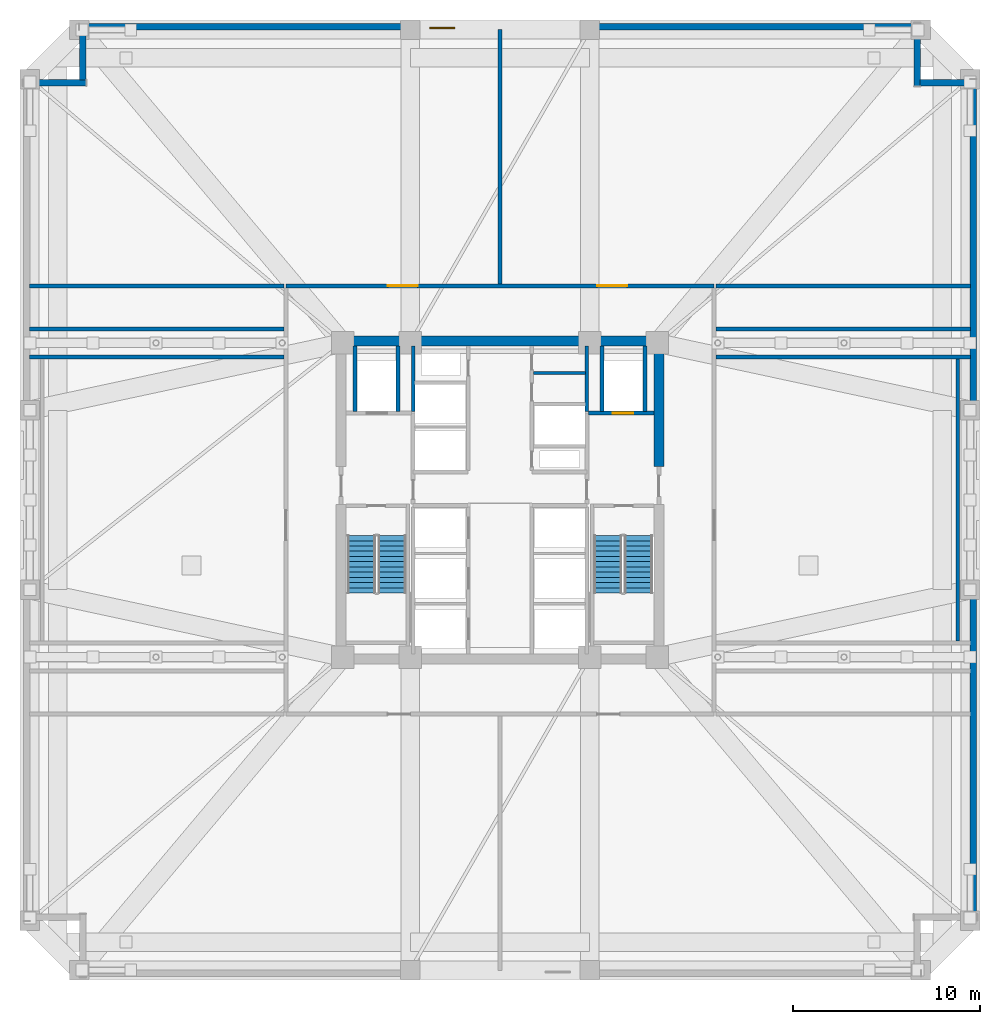
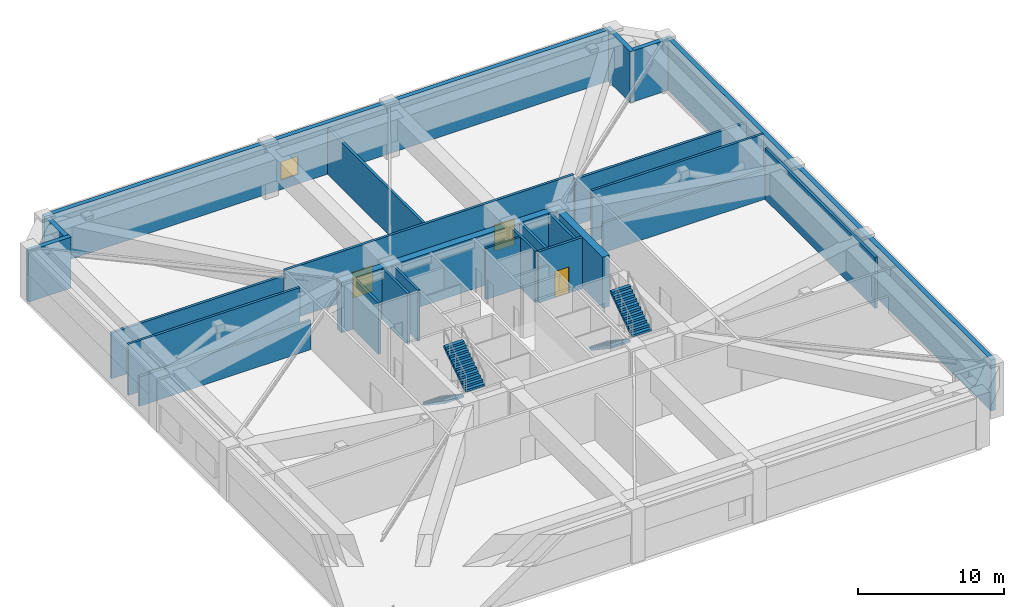
# One storey, part 8 of 13: 25 walls, 4 stair flights, 3 doors, 1 window, 4 openings, 2 elements without a shape of their own.
"""IFC4 building model written with IfcOpenShell, lengths in metres."""

from ifc_helpers import new_model, si_unit, direction, frame, frame_2d, origin, place, context, subcontext, project, spatial, polyline, rectangle, outline, extrude, material, layer, layer_set, type_object, element, fill, aggregate, save


model = new_model("IFC4")

# Units and contexts
model_context = context("Model", 3, precision=1e-05, world=origin(), true_north=direction((0.0, 1.0)))
body_context = subcontext(model_context, "Body", "Model", "MODEL_VIEW")
ifc_project = project(units=[si_unit("LENGTHUNIT", "METRE"), si_unit("AREAUNIT", "SQUARE_METRE"), si_unit("VOLUMEUNIT", "CUBIC_METRE"), si_unit("PLANEANGLEUNIT", "RADIAN"), si_unit("MASSUNIT", "GRAM", prefix="KILO")], contexts=[model_context])

# Site, building, storey
site_placement = place(None, origin())
site = spatial("IfcSite", under=ifc_project, at=site_placement, CompositionType="ELEMENT")
building_placement = place(site_placement, origin())
building = spatial("IfcBuilding", under=site, at=building_placement, Name="Cairnveth Concourse Tower", CompositionType="ELEMENT")
storey_placement = place(building_placement, frame((0.0, 0.0, 97.0)))
storey = spatial("IfcBuildingStorey", under=building, at=storey_placement, Name="L26", CompositionType="ELEMENT", Elevation=97.0)

# Walls
ifc_material_1 = material(Name="Gypsum Plasterboard Partition", Category="gypsum")
ifc_layer_1 = layer(ifc_material_1, 0.159912109375)
ifc_layer_set_1 = layer_set([ifc_layer_1], Name="Gypsum Plasterboard Partition")
wall_type_1 = type_object("IfcWallType", Name="ACOUSTIC PARTY WALL 180", PredefinedType="PARTITIONING", material=ifc_layer_set_1)
wall_1_placement = place(storey_placement, frame((53.784912109375, 45.800048828125, 0.0), z_axis=(0.0, 0.0, 1.0), x_axis=(1.0, 0.0, 0.0)))
element("IfcWall", 1, at=wall_1_placement, inside=storey, type_object=wall_type_1, Name="Interior Wall IW-L26-037", PredefinedType="PARTITIONING", context=body_context, shape_type="SweptSolid", body=[
    extrude(rectangle(XDim=2.7900390625, YDim=0.159912109375, at=frame_2d((1.39501953125, 0.0))), origin(), (0.0, 0.0, 1.0), 4.280029296875),
])
ifc_material_2 = material(Name="Concrete N80 (80 MPa)", Category="concrete")
ifc_layer_2 = layer(ifc_material_2, 0.550048828125)
ifc_layer_set_2 = layer_set([ifc_layer_2], Name="Concrete N80 (80 MPa)")
wall_type_2 = type_object("IfcWallType", Name="CORE SHEAR WALL 550", PredefinedType="SHEAR", material=ifc_layer_set_2)
wall_2_placement = place(storey_placement, frame((43.22509765625, 47.5, 0.0), z_axis=(0.0, 0.0, 1.0), x_axis=(1.0, 0.0, 0.0)))
element("IfcWall", 2, at=wall_2_placement, inside=storey, type_object=wall_type_2, Name="Core North Shear Wall L26", PredefinedType="SHEAR", context=body_context, shape_type="SweptSolid", body=[
    extrude(rectangle(XDim=17.5498046875, YDim=0.550048828125, at=frame_2d((8.77490234375, 0.0))), origin(), (0.0, 0.0, 1.0), 4.280029296875),
])
wall_3_placement = place(storey_placement, frame((60.5, 40.800048828125, 0.0), z_axis=(0.0, 0.0, 1.0), x_axis=(0.0, 1.0, 0.0)))
element("IfcWall", 3, at=wall_3_placement, inside=storey, type_object=wall_type_2, Name="Core East Shear Wall N L26", PredefinedType="SHEAR", context=body_context, shape_type="SweptSolid", body=[
    extrude(rectangle(XDim=6.43505859375, YDim=0.550048828125, at=frame_2d((3.217529296875, 0.0))), origin(), (0.0, 0.0, 1.0), 4.280029296875),
])
ifc_material_3 = material(Name="Concrete N50 (50 MPa)", Category="concrete")
ifc_layer_3 = layer(ifc_material_3, 0.179931640625)
ifc_layer_set_3 = layer_set([ifc_layer_3], Name="Concrete N50 (50 MPa)")
wall_type_3 = type_object("IfcWallType", Name="FIRE SHAFT WALL 180", PredefinedType="SOLIDWALL", material=ifc_layer_set_3)
for number, where, z_axis, x_axis, name in (
    (4, (47.35009765625, 43.735107421875, 0.0), (0.0, 0.0, 1.0), (0.0, 1.0, 0.0), "Interior Wall IW-L26-031"),
    (5, (56.64990234375, 43.735107421875, 0.0), (0.0, 0.0, 1.0), (0.0, 1.0, 0.0), "Interior Wall IW-L26-034"),
):
    element("IfcWall", number, at=place(storey_placement, frame(where, z_axis=z_axis, x_axis=x_axis)), inside=storey, type_object=wall_type_3, Name=name, PredefinedType="SOLIDWALL", context=body_context, shape_type="SweptSolid", body=[
        extrude(rectangle(XDim=3.5048828125, YDim=0.179931640625, at=frame_2d((1.75244140625, 0.0))), origin(), (0.0, 0.0, 1.0), 4.280029296875),
    ])
ifc_layer_4 = layer(ifc_material_3, 0.199951171875)
ifc_layer_set_4 = layer_set([ifc_layer_4], Name="Concrete N50 (50 MPa)")
wall_type_4 = type_object("IfcWallType", Name="FIRE SHAFT WALL 200", PredefinedType="SOLIDWALL", material=ifc_layer_set_4)
for number, where, z_axis, x_axis, name in (
    (6, (46.550048828125, 43.735107421875, 0.0), (0.0, 0.0, 1.0), (0.0, 1.0, 0.0), "Interior Wall IW-L26-018"),
    (7, (44.25, 43.735107421875, 0.0), (0.0, 0.0, 1.0), (0.0, 1.0, 0.0), "Interior Wall IW-L26-019"),
):
    element("IfcWall", number, at=place(storey_placement, frame(where, z_axis=z_axis, x_axis=x_axis)), inside=storey, type_object=wall_type_4, Name=name, PredefinedType="SOLIDWALL", context=body_context, shape_type="SweptSolid", body=[
        extrude(rectangle(XDim=3.5048828125, YDim=0.199951171875, at=frame_2d((1.75244140625, 0.0))), origin(), (0.0, 0.0, 1.0), 4.280029296875),
    ])

# Wall, opening, door
wall_4_placement = place(storey_placement, frame((56.735107421875, 43.64990234375, 0.0), z_axis=(0.0, 0.0, 1.0), x_axis=(1.0, 0.0, 0.0)))
wall_4 = element("IfcWall", 8, at=wall_4_placement, inside=storey, type_object=wall_type_4, Name="Interior Wall IW-L26-022", PredefinedType="SOLIDWALL", context=body_context, shape_type="SweptSolid", body=[
    extrude(rectangle(XDim=3.5048828125, YDim=0.199951171875, at=frame_2d((1.75244140625, 0.0))), origin(), (0.0, 0.0, 1.0), 4.280029296875),
])
opening_1_placement = place(wall_4_placement, frame((1.294921875, 0.0, 0.0)))
opening_1 = element("IfcOpeningElement", 9, at=opening_1_placement, cuts=wall_4, Name="Opening LD-1", PredefinedType="OPENING", context=body_context, shape_type="SweptSolid", body=[
    extrude(rectangle(XDim=1.10009765625, YDim=2.199951171875, at=frame_2d((0.550048828125, 1.10009765625))), frame((0.0, 0.10986328125, 0.0), z_axis=(0.0, -1.0, 0.0), x_axis=(1.0, 0.0, 0.0)), (0.0, 0.0, 1.0), 0.219970703125),
])
ifc_material_4 = material(Name="Architectural Bronze Anodised Aluminium 6063-T6", Category="aluminium")
door_type_1 = type_object("IfcDoorType", Name="LIFT LANDING DOOR 1100X2200", OperationType="SLIDING_TO_LEFT", PredefinedType="DOOR", material=ifc_material_4)
door_1_placement = place(opening_1_placement, origin())
door_1 = element("IfcDoor", 10, at=door_1_placement, inside=storey, type_object=door_type_1, Name="Lift FFL2 Landing Door L26", OperationType="SLIDING_TO_LEFT", OverallHeight=2.199951171875, OverallWidth=1.10009765625, PredefinedType="DOOR", context=body_context, shape_type="SweptSolid", body=[
    extrude(rectangle(XDim=1.10009765625, YDim=2.199951171875, at=frame_2d((0.550048828125, 1.10009765625))), frame((0.0, 0.02490234375, 0.0), z_axis=(0.0, -1.0, 0.0), x_axis=(1.0, 0.0, 0.0)), (0.0, 0.0, 1.0), 0.050048828125),
])
fill(opening_1, door_1)

# Walls
for number, where, z_axis, x_axis, name in (
    (11, (57.449951171875, 43.735107421875, 0.0), (0.0, 0.0, 1.0), (0.0, 1.0, 0.0), "Interior Wall IW-L26-023"),
    (12, (59.75, 43.735107421875, 0.0), (0.0, 0.0, 1.0), (0.0, 1.0, 0.0), "Interior Wall IW-L26-024"),
):
    element("IfcWall", number, at=place(storey_placement, frame(where, z_axis=z_axis, x_axis=x_axis)), inside=storey, type_object=wall_type_4, Name=name, PredefinedType="SOLIDWALL", context=body_context, shape_type="SweptSolid", body=[
        extrude(rectangle(XDim=3.5048828125, YDim=0.199951171875, at=frame_2d((1.75244140625, 0.0))), origin(), (0.0, 0.0, 1.0), 4.280029296875),
    ])

# Wall, openings, doors
wall_5_placement = place(storey_placement, frame((40.550048828125, 50.449951171875, 0.0), z_axis=(0.0, 0.0, 1.0), x_axis=(1.0, 0.0, 0.0)))
wall_5 = element("IfcWall", 13, at=wall_5_placement, inside=storey, type_object=wall_type_4, Name="Interior Wall IW-L26-039", PredefinedType="SOLIDWALL", context=body_context, shape_type="SweptSolid", body=[
    extrude(rectangle(XDim=22.89990234375, YDim=0.199951171875, at=frame_2d((11.449951171875, 0.0))), origin(), (0.0, 0.0, 1.0), 4.280029296875),
])
opening_2_placement = place(wall_5_placement, frame((5.449951171875, 0.0, 0.0)))
opening_2 = element("IfcOpeningElement", 14, at=opening_2_placement, cuts=wall_5, Name="Opening ID02", PredefinedType="OPENING", context=body_context, shape_type="SweptSolid", body=[
    extrude(rectangle(XDim=1.60009765625, YDim=2.199951171875, at=frame_2d((0.800048828125, 1.10009765625))), frame((0.0, 0.10986328125, 0.0), z_axis=(0.0, -1.0, 0.0), x_axis=(1.0, 0.0, 0.0)), (0.0, 0.0, 1.0), 0.219970703125),
])
opening_3_placement = place(wall_5_placement, frame((16.64990234375, 0.0, 0.0)))
opening_3 = element("IfcOpeningElement", 15, at=opening_3_placement, cuts=wall_5, Name="Opening ID02", PredefinedType="OPENING", context=body_context, shape_type="SweptSolid", body=[
    extrude(rectangle(XDim=1.60009765625, YDim=2.199951171875, at=frame_2d((0.800048828125, 1.10009765625))), frame((0.0, 0.10986328125, 0.0), z_axis=(0.0, -1.0, 0.0), x_axis=(1.0, 0.0, 0.0)), (0.0, 0.0, 1.0), 0.219970703125),
])
ifc_material_5 = material(Name="Steel Grade 350", Category="steel")
door_type_2 = type_object("IfcDoorType", Name="PLANT DOUBLE DOOR 1600X2200", OperationType="DOUBLE_DOOR_SINGLE_SWING", PredefinedType="DOOR", material=ifc_material_5)
door_2_placement = place(opening_2_placement, origin())
door_2 = element("IfcDoor", 16, at=door_2_placement, inside=storey, type_object=door_type_2, Name="Interior Door DR-L26-016", OperationType="DOUBLE_DOOR_SINGLE_SWING", OverallHeight=2.199951171875, OverallWidth=1.60009765625, PredefinedType="DOOR", context=body_context, shape_type="SweptSolid", body=[
    extrude(rectangle(XDim=1.60009765625, YDim=2.199951171875, at=frame_2d((0.800048828125, 1.10009765625))), frame((0.0, 0.02490234375, 0.0), z_axis=(0.0, -1.0, 0.0), x_axis=(1.0, 0.0, 0.0)), (0.0, 0.0, 1.0), 0.050048828125),
])
fill(opening_2, door_2)
door_3_placement = place(opening_3_placement, origin())
door_3 = element("IfcDoor", 17, at=door_3_placement, inside=storey, type_object=door_type_2, Name="Interior Door DR-L26-017", OperationType="DOUBLE_DOOR_SINGLE_SWING", OverallHeight=2.199951171875, OverallWidth=1.60009765625, PredefinedType="DOOR", context=body_context, shape_type="SweptSolid", body=[
    extrude(rectangle(XDim=1.60009765625, YDim=2.199951171875, at=frame_2d((0.800048828125, 1.10009765625))), frame((0.0, 0.02490234375, 0.0), z_axis=(0.0, -1.0, 0.0), x_axis=(1.0, 0.0, 0.0)), (0.0, 0.0, 1.0), 0.050048828125),
])
fill(opening_3, door_3)

# Walls
for number, where, z_axis, x_axis, name in (
    (18, (26.844970703125, 46.64990234375, 0.0), (0.0, 0.0, 1.0), (1.0, 0.0, 0.0), "Interior Wall IW-L26-046"),
    (19, (63.550048828125, 46.64990234375, 0.0), (0.0, 0.0, 1.0), (1.0, 0.0, 0.0), "Interior Wall IW-L26-047"),
):
    element("IfcWall", number, at=place(storey_placement, frame(where, z_axis=z_axis, x_axis=x_axis)), inside=storey, type_object=wall_type_4, Name=name, PredefinedType="SOLIDWALL", context=body_context, shape_type="SweptSolid", body=[
        extrude(rectangle(XDim=13.60498046875, YDim=0.199951171875, at=frame_2d((6.802490234375, 0.0))), origin(), (0.0, 0.0, 1.0), 2.455078125),
    ])
for number, where, z_axis, x_axis, name in (
    (20, (26.844970703125, 48.14990234375, 0.0), (0.0, 0.0, 1.0), (1.0, 0.0, 0.0), "Interior Wall IW-L26-048"),
    (21, (63.550048828125, 48.14990234375, 0.0), (0.0, 0.0, 1.0), (1.0, 0.0, 0.0), "Interior Wall IW-L26-049"),
):
    element("IfcWall", number, at=place(storey_placement, frame(where, z_axis=z_axis, x_axis=x_axis)), inside=storey, type_object=wall_type_4, Name=name, PredefinedType="SOLIDWALL", context=body_context, shape_type="SweptSolid", body=[
        extrude(rectangle(XDim=13.60498046875, YDim=0.199951171875, at=frame_2d((6.802490234375, 0.0))), origin(), (0.0, 0.0, 1.0), 4.280029296875),
    ])
wall_6_placement = place(storey_placement, frame((76.47998046875, 31.449951171875, 0.0), z_axis=(0.0, 0.0, 1.0), x_axis=(0.0, 1.0, 0.0)))
element("IfcWall", 22, at=wall_6_placement, inside=storey, type_object=wall_type_4, Name="Interior Wall IW-L26-051", PredefinedType="SOLIDWALL", context=body_context, shape_type="SweptSolid", body=[
    extrude(rectangle(XDim=15.10009765625, YDim=0.199951171875, at=frame_2d((7.550048828125, 0.0))), origin(), (0.0, 0.0, 1.0), 4.280029296875),
])
for number, where, z_axis, x_axis, name in (
    (23, (52.0, 50.550048828125, 0.0), (0.0, 0.0, 1.0), (0.0, 1.0, 0.0), "Interior Wall IW-L26-055"),
    (24, (26.844970703125, 50.449951171875, 0.0), (0.0, 0.0, 1.0), (1.0, 0.0, 0.0), "Interior Wall IW-L26-056"),
    (25, (63.550048828125, 50.449951171875, 0.0), (0.0, 0.0, 1.0), (1.0, 0.0, 0.0), "Interior Wall IW-L26-057"),
):
    element("IfcWall", number, at=place(storey_placement, frame(where, z_axis=z_axis, x_axis=x_axis)), inside=storey, type_object=wall_type_4, Name=name, PredefinedType="SOLIDWALL", context=body_context, shape_type="SweptSolid", body=[
        extrude(rectangle(XDim=13.60498046875, YDim=0.199951171875, at=frame_2d((6.802490234375, 0.0))), origin(), (0.0, 0.0, 1.0), 3.84912109375),
    ])
ifc_material_6 = material(Name="Hawthorn Red-Ochre Fired Clay Brick Masonry", Category="masonry")
ifc_layer_5 = layer(ifc_material_6, 0.360107421875)
ifc_layer_set_5 = layer_set([ifc_layer_5], Name="Hawthorn Red-Ochre Fired Clay Brick Masonry")
wall_type_5 = type_object("IfcWallType", Name="ZONE 1 BRICK PIER SPANDREL WALL 360", PredefinedType="SOLIDWALL", material=ifc_layer_set_5)
wall_7_placement = place(storey_placement, frame((26.5, 61.320068359375, 0.0), z_axis=(0.0, 0.0, 1.0), x_axis=(1.0, 0.0, 0.0)))
element("IfcWall", 26, at=wall_7_placement, inside=storey, type_object=wall_type_5, Name="Exterior Wall EW-L26-S03", PredefinedType="SOLIDWALL", context=body_context, shape_type="SweptSolid", body=[
    extrude(rectangle(XDim=3.360107421875, YDim=0.360107421875, at=frame_2d((1.68017578125, 0.0))), origin(), (0.0, 0.0, 1.0), 4.280029296875),
])
wall_8_placement = place(storey_placement, frame((29.679931640625, 61.47802734375, 0.0), z_axis=(0.0, 0.0, 1.0), x_axis=(0.0, 1.0, 0.0)))
element("IfcWall", 27, at=wall_8_placement, inside=storey, type_object=wall_type_5, Name="Exterior Wall EW-L26-S04", PredefinedType="SOLIDWALL", context=body_context, shape_type="SweptSolid", body=[
    extrude(rectangle(XDim=2.68408203125, YDim=0.360107421875, at=frame_2d((1.342041015625, 0.0))), origin(), (0.0, 0.0, 1.0), 4.280029296875),
])

# Wall, opening, window
wall_9_placement = place(storey_placement, frame((29.5, 64.320068359375, 0.0), z_axis=(0.0, 0.0, 1.0), x_axis=(1.0, 0.0, 0.0)))
wall_9 = element("IfcWall", 28, at=wall_9_placement, inside=storey, type_object=wall_type_5, Name="Exterior Wall EW-L26-S05", PredefinedType="SOLIDWALL", context=body_context, shape_type="SweptSolid", body=[
    extrude(rectangle(XDim=44.662109375, YDim=0.360107421875, at=frame_2d((22.3310546875, 0.0))), origin(), (0.0, 0.0, 1.0), 4.280029296875),
])
opening_4_placement = place(wall_9_placement, frame((18.73095703125, 0.0, 0.800048828125)))
opening_4 = element("IfcOpeningElement", 29, at=opening_4_placement, cuts=wall_9, Name="Opening W05", PredefinedType="OPENING", context=body_context, shape_type="SweptSolid", body=[
    extrude(rectangle(XDim=1.35009765625, YDim=1.530029296875, at=frame_2d((0.675048828125, 0.76513671875))), frame((0.0, 0.18994140625, 0.0), z_axis=(0.0, -1.0, 0.0), x_axis=(1.0, 0.0, 0.0)), (0.0, 0.0, 1.0), 0.380126953125),
])
ifc_material_7 = material(Name="Double Glazed Low-E Clear Glass", Category="glass")
window_type = type_object("IfcWindowType", Name="DEEP-SET HOTEL CASEMENT WINDOW 1400X1750", PartitioningType="DOUBLE_PANEL_VERTICAL", PredefinedType="WINDOW", material=ifc_material_7)
window_placement = place(opening_4_placement, origin())
window = element("IfcWindow", 30, at=window_placement, inside=storey, type_object=window_type, Name="WIN-L26-REF-S5", OverallHeight=1.530029296875, OverallWidth=1.35009765625, PartitioningType="SINGLE_PANEL", PredefinedType="WINDOW", context=body_context, shape_type="SweptSolid", body=[
    extrude(rectangle(XDim=1.35009765625, YDim=1.530029296875, at=frame_2d((0.675048828125, 0.76513671875))), frame((0.0, -0.0400390625, 0.0), z_axis=(0.0, -1.0, 0.0), x_axis=(1.0, 0.0, 0.0)), (0.0, 0.0, 1.0), 0.06005859375),
])
fill(opening_4, window)

# Walls
wall_10_placement = place(storey_placement, frame((74.320068359375, 64.5, 0.0), z_axis=(0.0, 0.0, 1.0), x_axis=(0.0, -1.0, 0.0)))
element("IfcWall", 31, at=wall_10_placement, inside=storey, type_object=wall_type_5, Name="Exterior Wall EW-L26-S06", PredefinedType="SOLIDWALL", context=body_context, shape_type="SweptSolid", body=[
    extrude(rectangle(XDim=3.360107421875, YDim=0.360107421875, at=frame_2d((1.68017578125, 0.0))), origin(), (0.0, 0.0, 1.0), 4.280029296875),
])
wall_11_placement = place(storey_placement, frame((74.47802734375, 61.320068359375, 0.0), z_axis=(0.0, 0.0, 1.0), x_axis=(1.0, 0.0, 0.0)))
element("IfcWall", 32, at=wall_11_placement, inside=storey, type_object=wall_type_5, Name="Exterior Wall EW-L26-S07", PredefinedType="SOLIDWALL", context=body_context, shape_type="SweptSolid", body=[
    extrude(rectangle(XDim=2.68408203125, YDim=0.360107421875, at=frame_2d((1.342041015625, 0.0))), origin(), (0.0, 0.0, 1.0), 4.280029296875),
])
wall_12_placement = place(storey_placement, frame((77.320068359375, 61.5, 0.0), z_axis=(0.0, 0.0, 1.0), x_axis=(0.0, -1.0, 0.0)))
element("IfcWall", 33, at=wall_12_placement, inside=storey, type_object=wall_type_5, Name="Exterior Wall EW-L26-S08", PredefinedType="SOLIDWALL", context=body_context, shape_type="SweptSolid", body=[
    extrude(rectangle(XDim=44.662109375, YDim=0.360107421875, at=frame_2d((22.3310546875, 0.0))), origin(), (0.0, 0.0, 1.0), 4.280029296875),
])

# Stair, stair flights
ifc_material_8 = material(Name="Precast concrete N50 (50 MPa)", Category="concrete")
stair_type = type_object("IfcStairType", Name="CORE DOG-LEG FIRE STAIR 1500", PredefinedType="HALF_TURN_STAIR", material=ifc_material_8)
stair_1_placement = place(storey_placement, origin())
stair_1 = element("IfcStair", 34, at=stair_1_placement, inside=storey, type_object=stair_type, Name="L26 Fire-Isolated Stair ST-1", PredefinedType="HALF_TURN_STAIR")
stair_flight_type = type_object("IfcStairFlightType", Name="PRECAST CONCRETE STAIR FLIGHT 1500", PredefinedType="STRAIGHT", material=ifc_material_8)
stair_flight_1_placement = place(storey_placement, frame((44.590087890625, 37.10009765625, 0.0), z_axis=(0.0, 0.0, 1.0), x_axis=(0.0, -1.0, 0.0)))
stair_flight_1 = element("IfcStairFlight", 35, at=stair_flight_1_placement, type_object=stair_flight_type, Name="ST-1 flight 1", NumberOfRisers=12, NumberOfTreads=11, PredefinedType="STRAIGHT", RiserHeight=0.1875, TreadLength=0.28, context=body_context, shape_type="SweptSolid", body=[
    extrude(outline(polyline([(0.0, 0.0), (0.0, 0.1875), (0.280029296875, 0.1875), (0.280029296875, 0.375), (0.56005859375, 0.375), (0.56005859375, 0.5625), (0.840087890625, 0.5625), (0.840087890625, 0.75), (1.1201171875, 0.75), (1.1201171875, 0.9375), (1.39990234375, 0.9375), (1.39990234375, 1.125), (1.679931640625, 1.125), (1.679931640625, 1.3125), (1.9599609375, 1.3125), (1.9599609375, 1.5), (2.239990234375, 1.5), (2.239990234375, 1.6875), (2.52001953125, 1.6875), (2.52001953125, 1.875), (2.800048828125, 1.875), (2.800048828125, 2.0625), (3.080078125, 2.0625), (3.080078125, 2.25), (3.080078125, 1.882080078125), (0.26953125, 0.0), (0.0, 0.0)])), frame((0.0, 0.75, 0.0), z_axis=(0.0, -1.0, 0.0), x_axis=(1.0, 0.0, 0.0)), (0.0, 0.0, 1.0), 1.5),
])
stair_flight_2_placement = place(storey_placement, frame((46.22998046875, 34.02001953125, 2.25), z_axis=(0.0, 0.0, 1.0), x_axis=(0.0, 1.0, 0.0)))
stair_flight_2 = element("IfcStairFlight", 36, at=stair_flight_2_placement, type_object=stair_flight_type, Name="ST-1 flight 2", NumberOfRisers=12, NumberOfTreads=11, PredefinedType="STRAIGHT", RiserHeight=0.1875, TreadLength=0.28, context=body_context, shape_type="SweptSolid", body=[
    extrude(outline(polyline([(0.0, 0.0), (0.0, 0.1875), (0.280029296875, 0.1875), (0.280029296875, 0.375), (0.56005859375, 0.375), (0.56005859375, 0.5625), (0.840087890625, 0.5625), (0.840087890625, 0.75), (1.1201171875, 0.75), (1.1201171875, 0.9375), (1.39990234375, 0.9375), (1.39990234375, 1.125), (1.679931640625, 1.125), (1.679931640625, 1.3125), (1.9599609375, 1.3125), (1.9599609375, 1.5), (2.239990234375, 1.5), (2.239990234375, 1.6875), (2.52001953125, 1.6875), (2.52001953125, 1.875), (2.800048828125, 1.875), (2.800048828125, 2.0625), (3.080078125, 2.0625), (3.080078125, 2.25), (3.080078125, 1.882080078125), (0.26953125, 0.0), (0.0, 0.0)])), frame((0.0, 0.75, 0.0), z_axis=(0.0, -1.0, 0.0), x_axis=(1.0, 0.0, 0.0)), (0.0, 0.0, 1.0), 1.5),
])
aggregate(stair_1, [stair_flight_1, stair_flight_2])

stair_2_placement = place(storey_placement, origin())
stair_2 = element("IfcStair", 37, at=stair_2_placement, inside=storey, type_object=stair_type, Name="L26 Fire-Isolated Stair ST-2", PredefinedType="HALF_TURN_STAIR")
stair_flight_3_placement = place(storey_placement, frame((57.77001953125, 37.10009765625, 0.0), z_axis=(0.0, 0.0, 1.0), x_axis=(0.0, -1.0, 0.0)))
stair_flight_3 = element("IfcStairFlight", 38, at=stair_flight_3_placement, type_object=stair_flight_type, Name="ST-2 flight 1", NumberOfRisers=12, NumberOfTreads=11, PredefinedType="STRAIGHT", RiserHeight=0.1875, TreadLength=0.28, context=body_context, shape_type="SweptSolid", body=[
    extrude(outline(polyline([(0.0, 0.0), (0.0, 0.1875), (0.280029296875, 0.1875), (0.280029296875, 0.375), (0.56005859375, 0.375), (0.56005859375, 0.5625), (0.840087890625, 0.5625), (0.840087890625, 0.75), (1.1201171875, 0.75), (1.1201171875, 0.9375), (1.39990234375, 0.9375), (1.39990234375, 1.125), (1.679931640625, 1.125), (1.679931640625, 1.3125), (1.9599609375, 1.3125), (1.9599609375, 1.5), (2.239990234375, 1.5), (2.239990234375, 1.6875), (2.52001953125, 1.6875), (2.52001953125, 1.875), (2.800048828125, 1.875), (2.800048828125, 2.0625), (3.080078125, 2.0625), (3.080078125, 2.25), (3.080078125, 1.882080078125), (0.26953125, 0.0), (0.0, 0.0)])), frame((0.0, 0.75, 0.0), z_axis=(0.0, -1.0, 0.0), x_axis=(1.0, 0.0, 0.0)), (0.0, 0.0, 1.0), 1.5),
])
stair_flight_4_placement = place(storey_placement, frame((59.409912109375, 34.02001953125, 2.25), z_axis=(0.0, 0.0, 1.0), x_axis=(0.0, 1.0, 0.0)))
stair_flight_4 = element("IfcStairFlight", 39, at=stair_flight_4_placement, type_object=stair_flight_type, Name="ST-2 flight 2", NumberOfRisers=12, NumberOfTreads=11, PredefinedType="STRAIGHT", RiserHeight=0.1875, TreadLength=0.28, context=body_context, shape_type="SweptSolid", body=[
    extrude(outline(polyline([(0.0, 0.0), (0.0, 0.1875), (0.280029296875, 0.1875), (0.280029296875, 0.375), (0.56005859375, 0.375), (0.56005859375, 0.5625), (0.840087890625, 0.5625), (0.840087890625, 0.75), (1.1201171875, 0.75), (1.1201171875, 0.9375), (1.39990234375, 0.9375), (1.39990234375, 1.125), (1.679931640625, 1.125), (1.679931640625, 1.3125), (1.9599609375, 1.3125), (1.9599609375, 1.5), (2.239990234375, 1.5), (2.239990234375, 1.6875), (2.52001953125, 1.6875), (2.52001953125, 1.875), (2.800048828125, 1.875), (2.800048828125, 2.0625), (3.080078125, 2.0625), (3.080078125, 2.25), (3.080078125, 1.882080078125), (0.26953125, 0.0), (0.0, 0.0)])), frame((0.0, 0.75, 0.0), z_axis=(0.0, -1.0, 0.0), x_axis=(1.0, 0.0, 0.0)), (0.0, 0.0, 1.0), 1.5),
])
aggregate(stair_2, [stair_flight_3, stair_flight_4])

save(model, "model.ifc")
